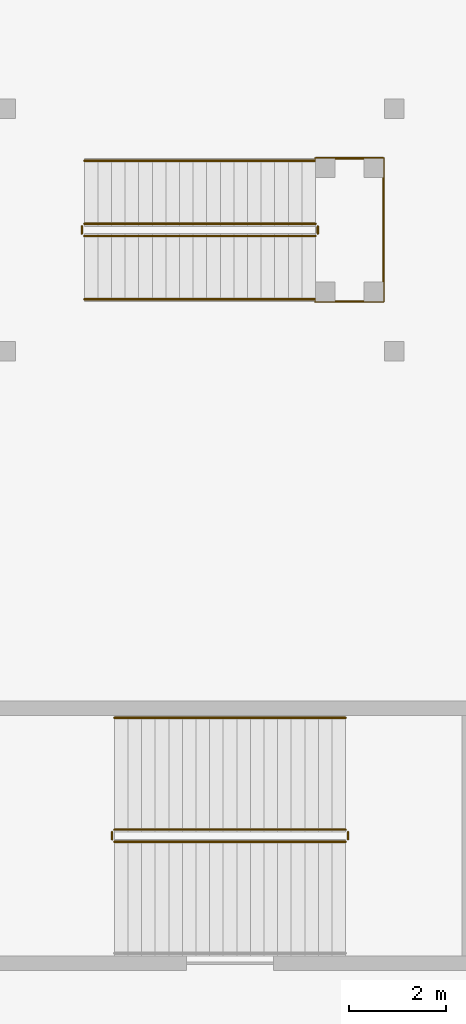
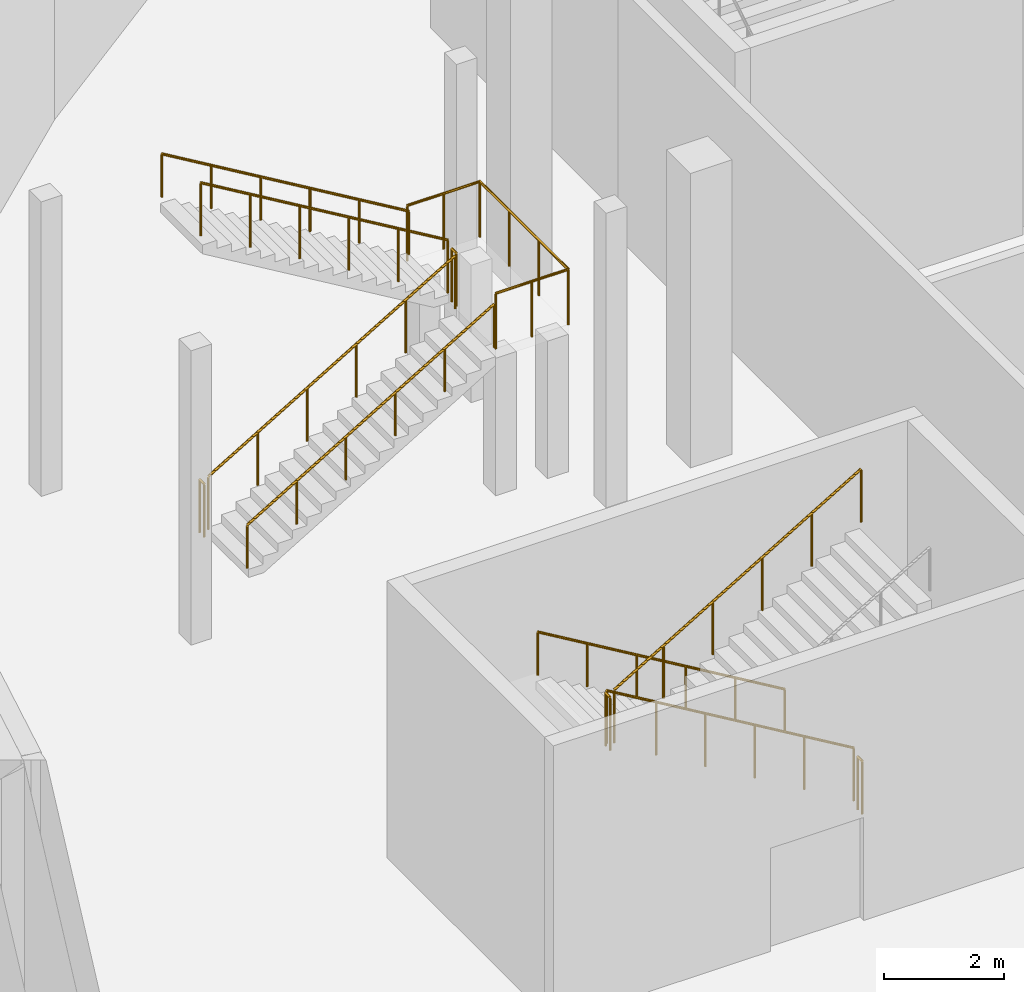
# One storey, part 13 of 19: 12 railings.
"""IFC4 building model written with IfcOpenShell, lengths in metres."""

from ifc_helpers import new_model, si_unit, direction, frame, origin, origin_2d, place, context, subcontext, project, spatial, circle, extrude, material, type_object, element, save


model = new_model("IFC4")

# Units and contexts
model_context = context("Model", 3, precision=1e-05, world=origin(), true_north=direction((0.0, 1.0)))
body_context = subcontext(model_context, "Body", "Model", "MODEL_VIEW")
ifc_project = project(units=[si_unit("LENGTHUNIT", "METRE"), si_unit("AREAUNIT", "SQUARE_METRE"), si_unit("VOLUMEUNIT", "CUBIC_METRE"), si_unit("PLANEANGLEUNIT", "RADIAN"), si_unit("MASSUNIT", "GRAM", prefix="KILO")], contexts=[model_context])

# Site, building, storey
site_placement = place(None, origin())
site = spatial("IfcSite", under=ifc_project, at=site_placement, CompositionType="ELEMENT")
building_placement = place(site_placement, origin())
building = spatial("IfcBuilding", under=site, at=building_placement, Name="Rubra Terraces Tower", CompositionType="ELEMENT")
storey_placement = place(building_placement, frame((0.0, 0.0, -6.0)))
storey = spatial("IfcBuildingStorey", under=building, at=storey_placement, Name="B1", CompositionType="ELEMENT", Elevation=-6.0)

# Railings
ifc_material_1 = material(Name="Stainless steel", Category="steel")
railing_type_1 = type_object("IfcRailingType", Name="Public stair guard 1100", PredefinedType="GUARDRAIL", material=ifc_material_1)
railing_1_placement = place(storey_placement, frame((-33.0, 7.64990234375, 0.166748046875)))
element("IfcRailing", 1, at=railing_1_placement, inside=storey, type_object=railing_type_1, Name="B1 SE3 stair guard 1", PredefinedType="GUARDRAIL", context=body_context, shape_type="SweptSolid", body=[
    extrude(circle(Radius=0.02392578125, at=origin_2d()), frame((0.0, 0.0, 1.076171875), z_axis=(-0.859299802514, 0.0, 0.511472237174), x_axis=(0.0, -1.0, 0.0)), (0.0, 0.0, 1.0), 5.539306640625),
    extrude(circle(Radius=0.02099609375, at=origin_2d()), origin(), (0.0, 0.0, 1.0), 1.052001953125),
    extrude(circle(Radius=0.02099609375, at=origin_2d()), frame((-0.951904296875, 0.0, 0.566650390625)), (0.0, 0.0, 1.0), 1.052001953125),
    extrude(circle(Radius=0.02099609375, at=origin_2d()), frame((-1.904052734375, 0.0, 1.13330078125)), (0.0, 0.0, 1.0), 1.052001953125),
    extrude(circle(Radius=0.02099609375, at=origin_2d()), frame((-2.85595703125, 0.0, 1.699951171875)), (0.0, 0.0, 1.0), 1.052001953125),
    extrude(circle(Radius=0.02099609375, at=origin_2d()), frame((-3.80810546875, 0.0, 2.2666015625)), (0.0, 0.0, 1.0), 1.052001953125),
    extrude(circle(Radius=0.02099609375, at=origin_2d()), frame((-4.760009765625, 0.0, 2.833251953125)), (0.0, 0.0, 1.0), 1.052001953125),
])
railing_2_placement = place(storey_placement, frame((-37.81005859375, 7.60009765625, 3.0)))
element("IfcRailing", 2, at=railing_2_placement, inside=storey, type_object=railing_type_1, Name="B1 SE3 stair guard 2", PredefinedType="GUARDRAIL", context=body_context, shape_type="SweptSolid", body=[
    extrude(circle(Radius=0.02392578125, at=origin_2d()), frame((0.0, 0.0, 1.076171875), z_axis=(0.0, -1.0, 0.0), x_axis=(1.0, 0.0, 0.0)), (0.0, 0.0, 1.0), 0.150146484375),
    extrude(circle(Radius=0.02099609375, at=origin_2d()), origin(), (0.0, 0.0, 1.0), 1.052001953125),
    extrude(circle(Radius=0.02099609375, at=origin_2d()), frame((0.0, -0.150146484375, 0.0)), (0.0, 0.0, 1.0), 1.052001953125),
])
railing_3_placement = place(storey_placement, frame((-37.760009765625, 7.39990234375, 3.166748046875)))
element("IfcRailing", 3, at=railing_3_placement, inside=storey, type_object=railing_type_1, Name="B1 SE3 stair guard 3", PredefinedType="GUARDRAIL", context=body_context, shape_type="SweptSolid", body=[
    extrude(circle(Radius=0.02392578125, at=origin_2d()), frame((0.0, 0.0, 1.076171875), z_axis=(0.859299802514, 0.0, 0.511472237174), x_axis=(0.0, 1.0, 0.0)), (0.0, 0.0, 1.0), 5.539306640625),
    extrude(circle(Radius=0.02099609375, at=origin_2d()), origin(), (0.0, 0.0, 1.0), 1.052001953125),
    extrude(circle(Radius=0.02099609375, at=origin_2d()), frame((0.951904296875, 0.0, 0.566650390625)), (0.0, 0.0, 1.0), 1.052001953125),
    extrude(circle(Radius=0.02099609375, at=origin_2d()), frame((1.904052734375, 0.0, 1.13330078125)), (0.0, 0.0, 1.0), 1.052001953125),
    extrude(circle(Radius=0.02099609375, at=origin_2d()), frame((2.85595703125, 0.0, 1.699951171875)), (0.0, 0.0, 1.0), 1.052001953125),
    extrude(circle(Radius=0.02099609375, at=origin_2d()), frame((3.80810546875, 0.0, 2.2666015625)), (0.0, 0.0, 1.0), 1.052001953125),
    extrude(circle(Radius=0.02099609375, at=origin_2d()), frame((4.760009765625, 0.0, 2.833251953125)), (0.0, 0.0, 1.0), 1.052001953125),
])
railing_4_placement = place(storey_placement, frame((-32.949951171875, 7.60009765625, 0.0)))
element("IfcRailing", 4, at=railing_4_placement, inside=storey, type_object=railing_type_1, Name="B1 SE3 stair guard 4", PredefinedType="GUARDRAIL", context=body_context, shape_type="SweptSolid", body=[
    extrude(circle(Radius=0.02392578125, at=origin_2d()), frame((0.0, 0.0, 1.076171875), z_axis=(0.0, -1.0, 0.0), x_axis=(1.0, 0.0, 0.0)), (0.0, 0.0, 1.0), 0.150146484375),
    extrude(circle(Radius=0.02099609375, at=origin_2d()), origin(), (0.0, 0.0, 1.0), 1.052001953125),
    extrude(circle(Radius=0.02099609375, at=origin_2d()), frame((0.0, -0.150146484375, 0.0)), (0.0, 0.0, 1.0), 1.052001953125),
])
railing_type_2 = type_object("IfcRailingType", Name="Public stair handrail 900", PredefinedType="HANDRAIL", material=ifc_material_1)
railing_5_placement = place(storey_placement, frame((-33.0, 9.949951171875, 0.166748046875)))
element("IfcRailing", 5, at=railing_5_placement, inside=storey, type_object=railing_type_2, Name="B1 SE3 stair handrail 1", PredefinedType="HANDRAIL", context=body_context, shape_type="SweptSolid", body=[
    extrude(circle(Radius=0.02392578125, at=origin_2d()), frame((0.0, 0.0, 0.8759765625), z_axis=(-0.859299802514, 0.0, 0.511472237174), x_axis=(0.0, -1.0, 0.0)), (0.0, 0.0, 1.0), 5.539306640625),
    extrude(circle(Radius=0.02099609375, at=origin_2d()), origin(), (0.0, 0.0, 1.0), 0.851806640625),
    extrude(circle(Radius=0.02099609375, at=origin_2d()), frame((-0.951904296875, 0.0, 0.566650390625)), (0.0, 0.0, 1.0), 0.851806640625),
    extrude(circle(Radius=0.02099609375, at=origin_2d()), frame((-1.904052734375, 0.0, 1.13330078125)), (0.0, 0.0, 1.0), 0.851806640625),
    extrude(circle(Radius=0.02099609375, at=origin_2d()), frame((-2.85595703125, 0.0, 1.699951171875)), (0.0, 0.0, 1.0), 0.851806640625),
    extrude(circle(Radius=0.02099609375, at=origin_2d()), frame((-3.80810546875, 0.0, 2.2666015625)), (0.0, 0.0, 1.0), 0.851806640625),
    extrude(circle(Radius=0.02099609375, at=origin_2d()), frame((-4.760009765625, 0.0, 2.833251953125)), (0.0, 0.0, 1.0), 0.851806640625),
])
ifc_material_2 = material(Name="Steel, powder-coated dark grey", Category="steel")
railing_type_3 = type_object("IfcRailingType", Name="Station stair guard 1100", PredefinedType="GUARDRAIL", material=ifc_material_2)
railing_6_placement = place(storey_placement, frame((-38.3798828125, 19.875, 0.166748046875)))
element("IfcRailing", 6, at=railing_6_placement, inside=storey, type_object=railing_type_3, Name="B1 SP2-S stair guard 1", PredefinedType="GUARDRAIL", context=body_context, shape_type="SweptSolid", body=[
    extrude(circle(Radius=0.02392578125, at=origin_2d()), frame((0.0, 0.0, 1.076171875), z_axis=(0.859288272078, 0.0, 0.511491608405), x_axis=(0.0, 1.0, 0.0)), (0.0, 0.0, 1.0), 5.539306640625),
    extrude(circle(Radius=0.02099609375, at=origin_2d()), origin(), (0.0, 0.0, 1.0), 1.052001953125),
    extrude(circle(Radius=0.02099609375, at=origin_2d()), frame((0.951904296875, 0.0, 0.566650390625)), (0.0, 0.0, 1.0), 1.052001953125),
    extrude(circle(Radius=0.02099609375, at=origin_2d()), frame((1.90380859375, 0.0, 1.13330078125)), (0.0, 0.0, 1.0), 1.052001953125),
    extrude(circle(Radius=0.02099609375, at=origin_2d()), frame((2.85595703125, 0.0, 1.699951171875)), (0.0, 0.0, 1.0), 1.052001953125),
    extrude(circle(Radius=0.02099609375, at=origin_2d()), frame((3.807861328125, 0.0, 2.2666015625)), (0.0, 0.0, 1.0), 1.052001953125),
    extrude(circle(Radius=0.02099609375, at=origin_2d()), frame((4.759765625, 0.0, 2.833251953125)), (0.0, 0.0, 1.0), 1.052001953125),
])
railing_7_placement = place(storey_placement, frame((-33.570068359375, 19.925048828125, 3.0)))
element("IfcRailing", 7, at=railing_7_placement, inside=storey, type_object=railing_type_3, Name="B1 SP2-S stair guard 2", PredefinedType="GUARDRAIL", context=body_context, shape_type="SweptSolid", body=[
    extrude(circle(Radius=0.02392578125, at=origin_2d()), frame((0.0, 0.0, 1.076171875), z_axis=(0.0, 1.0, 0.0), x_axis=(-1.0, 0.0, 0.0)), (0.0, 0.0, 1.0), 0.14990234375),
    extrude(circle(Radius=0.02099609375, at=origin_2d()), origin(), (0.0, 0.0, 1.0), 1.052001953125),
    extrude(circle(Radius=0.02099609375, at=origin_2d()), frame((0.0, 0.14990234375, 0.0)), (0.0, 0.0, 1.0), 1.052001953125),
])
railing_8_placement = place(storey_placement, frame((-33.6201171875, 20.125, 3.166748046875)))
element("IfcRailing", 8, at=railing_8_placement, inside=storey, type_object=railing_type_3, Name="B1 SP2-S stair guard 3", PredefinedType="GUARDRAIL", context=body_context, shape_type="SweptSolid", body=[
    extrude(circle(Radius=0.02392578125, at=origin_2d()), frame((0.0, 0.0, 1.076171875), z_axis=(-0.859288272078, 0.0, 0.511491608405), x_axis=(0.0, -1.0, 0.0)), (0.0, 0.0, 1.0), 5.539306640625),
    extrude(circle(Radius=0.02099609375, at=origin_2d()), origin(), (0.0, 0.0, 1.0), 1.052001953125),
    extrude(circle(Radius=0.02099609375, at=origin_2d()), frame((-0.951904296875, 0.0, 0.566650390625)), (0.0, 0.0, 1.0), 1.052001953125),
    extrude(circle(Radius=0.02099609375, at=origin_2d()), frame((-1.90380859375, 0.0, 1.13330078125)), (0.0, 0.0, 1.0), 1.052001953125),
    extrude(circle(Radius=0.02099609375, at=origin_2d()), frame((-2.85595703125, 0.0, 1.699951171875)), (0.0, 0.0, 1.0), 1.052001953125),
    extrude(circle(Radius=0.02099609375, at=origin_2d()), frame((-3.807861328125, 0.0, 2.2666015625)), (0.0, 0.0, 1.0), 1.052001953125),
    extrude(circle(Radius=0.02099609375, at=origin_2d()), frame((-4.759765625, 0.0, 2.833251953125)), (0.0, 0.0, 1.0), 1.052001953125),
])
railing_9_placement = place(storey_placement, frame((-38.429931640625, 19.925048828125, 0.0)))
element("IfcRailing", 9, at=railing_9_placement, inside=storey, type_object=railing_type_3, Name="B1 SP2-S stair guard 4", PredefinedType="GUARDRAIL", context=body_context, shape_type="SweptSolid", body=[
    extrude(circle(Radius=0.02392578125, at=origin_2d()), frame((0.0, 0.0, 1.076171875), z_axis=(0.0, 1.0, 0.0), x_axis=(-1.0, 0.0, 0.0)), (0.0, 0.0, 1.0), 0.14990234375),
    extrude(circle(Radius=0.02099609375, at=origin_2d()), origin(), (0.0, 0.0, 1.0), 1.052001953125),
    extrude(circle(Radius=0.02099609375, at=origin_2d()), frame((0.0, 0.14990234375, 0.0)), (0.0, 0.0, 1.0), 1.052001953125),
])
railing_10_placement = place(storey_placement, frame((-33.6201171875, 18.52490234375, 3.0)))
element("IfcRailing", 10, at=railing_10_placement, inside=storey, type_object=railing_type_3, Name="Pavilion SP2 stair landing guard", PredefinedType="GUARDRAIL", context=body_context, shape_type="SweptSolid", body=[
    extrude(circle(Radius=0.02392578125, at=origin_2d()), frame((0.0, 0.0, 1.1259765625), z_axis=(1.0, 0.0, 0.0), x_axis=(0.0, 1.0, 0.0)), (0.0, 0.0, 1.0), 1.400146484375),
    extrude(circle(Radius=0.02392578125, at=origin_2d()), frame((1.400146484375, 0.0, 1.1259765625), z_axis=(0.0, 1.0, 0.0), x_axis=(-1.0, 0.0, 0.0)), (0.0, 0.0, 1.0), 2.9501953125),
    extrude(circle(Radius=0.02392578125, at=origin_2d()), frame((1.400146484375, 2.9501953125, 1.1259765625), z_axis=(-1.0, 0.0, 0.0), x_axis=(0.0, -1.0, 0.0)), (0.0, 0.0, 1.0), 1.400146484375),
    extrude(circle(Radius=0.02099609375, at=origin_2d()), origin(), (0.0, 0.0, 1.0), 1.101806640625),
    extrude(circle(Radius=0.02099609375, at=origin_2d()), frame((0.7001953125, 0.0, 0.0)), (0.0, 0.0, 1.0), 1.101806640625),
    extrude(circle(Radius=0.02099609375, at=origin_2d()), frame((1.400146484375, 0.0, 0.0)), (0.0, 0.0, 1.0), 1.101806640625),
    extrude(circle(Radius=0.02099609375, at=origin_2d()), frame((1.400146484375, 0.9833984375, 0.0)), (0.0, 0.0, 1.0), 1.101806640625),
    extrude(circle(Radius=0.02099609375, at=origin_2d()), frame((1.400146484375, 1.966796875, 0.0)), (0.0, 0.0, 1.0), 1.101806640625),
    extrude(circle(Radius=0.02099609375, at=origin_2d()), frame((1.400146484375, 2.9501953125, 0.0)), (0.0, 0.0, 1.0), 1.101806640625),
    extrude(circle(Radius=0.02099609375, at=origin_2d()), frame((0.7001953125, 2.9501953125, 0.0)), (0.0, 0.0, 1.0), 1.101806640625),
    extrude(circle(Radius=0.02099609375, at=origin_2d()), frame((0.0, 2.9501953125, 0.0)), (0.0, 0.0, 1.0), 1.101806640625),
])
railing_type_4 = type_object("IfcRailingType", Name="Station stair handrail 900", PredefinedType="HANDRAIL", material=ifc_material_2)
railing_11_placement = place(storey_placement, frame((-38.3798828125, 18.574951171875, 0.166748046875)))
element("IfcRailing", 11, at=railing_11_placement, inside=storey, type_object=railing_type_4, Name="B1 SP2-S stair handrail 1", PredefinedType="HANDRAIL", context=body_context, shape_type="SweptSolid", body=[
    extrude(circle(Radius=0.02392578125, at=origin_2d()), frame((0.0, 0.0, 0.8759765625), z_axis=(0.859288272078, 0.0, 0.511491608405), x_axis=(0.0, 1.0, 0.0)), (0.0, 0.0, 1.0), 5.539306640625),
    extrude(circle(Radius=0.02099609375, at=origin_2d()), origin(), (0.0, 0.0, 1.0), 0.851806640625),
    extrude(circle(Radius=0.02099609375, at=origin_2d()), frame((0.951904296875, 0.0, 0.566650390625)), (0.0, 0.0, 1.0), 0.851806640625),
    extrude(circle(Radius=0.02099609375, at=origin_2d()), frame((1.90380859375, 0.0, 1.13330078125)), (0.0, 0.0, 1.0), 0.851806640625),
    extrude(circle(Radius=0.02099609375, at=origin_2d()), frame((2.85595703125, 0.0, 1.699951171875)), (0.0, 0.0, 1.0), 0.851806640625),
    extrude(circle(Radius=0.02099609375, at=origin_2d()), frame((3.807861328125, 0.0, 2.2666015625)), (0.0, 0.0, 1.0), 0.851806640625),
    extrude(circle(Radius=0.02099609375, at=origin_2d()), frame((4.759765625, 0.0, 2.833251953125)), (0.0, 0.0, 1.0), 0.851806640625),
])
railing_12_placement = place(storey_placement, frame((-33.6201171875, 21.425048828125, 3.166748046875)))
element("IfcRailing", 12, at=railing_12_placement, inside=storey, type_object=railing_type_4, Name="B1 SP2-S stair handrail 2", PredefinedType="HANDRAIL", context=body_context, shape_type="SweptSolid", body=[
    extrude(circle(Radius=0.02392578125, at=origin_2d()), frame((0.0, 0.0, 0.8759765625), z_axis=(-0.859288272078, 0.0, 0.511491608405), x_axis=(0.0, -1.0, 0.0)), (0.0, 0.0, 1.0), 5.539306640625),
    extrude(circle(Radius=0.02099609375, at=origin_2d()), origin(), (0.0, 0.0, 1.0), 0.851806640625),
    extrude(circle(Radius=0.02099609375, at=origin_2d()), frame((-0.951904296875, 0.0, 0.566650390625)), (0.0, 0.0, 1.0), 0.851806640625),
    extrude(circle(Radius=0.02099609375, at=origin_2d()), frame((-1.90380859375, 0.0, 1.13330078125)), (0.0, 0.0, 1.0), 0.851806640625),
    extrude(circle(Radius=0.02099609375, at=origin_2d()), frame((-2.85595703125, 0.0, 1.699951171875)), (0.0, 0.0, 1.0), 0.851806640625),
    extrude(circle(Radius=0.02099609375, at=origin_2d()), frame((-3.807861328125, 0.0, 2.2666015625)), (0.0, 0.0, 1.0), 0.851806640625),
    extrude(circle(Radius=0.02099609375, at=origin_2d()), frame((-4.759765625, 0.0, 2.833251953125)), (0.0, 0.0, 1.0), 0.851806640625),
])

save(model, "model.ifc")
